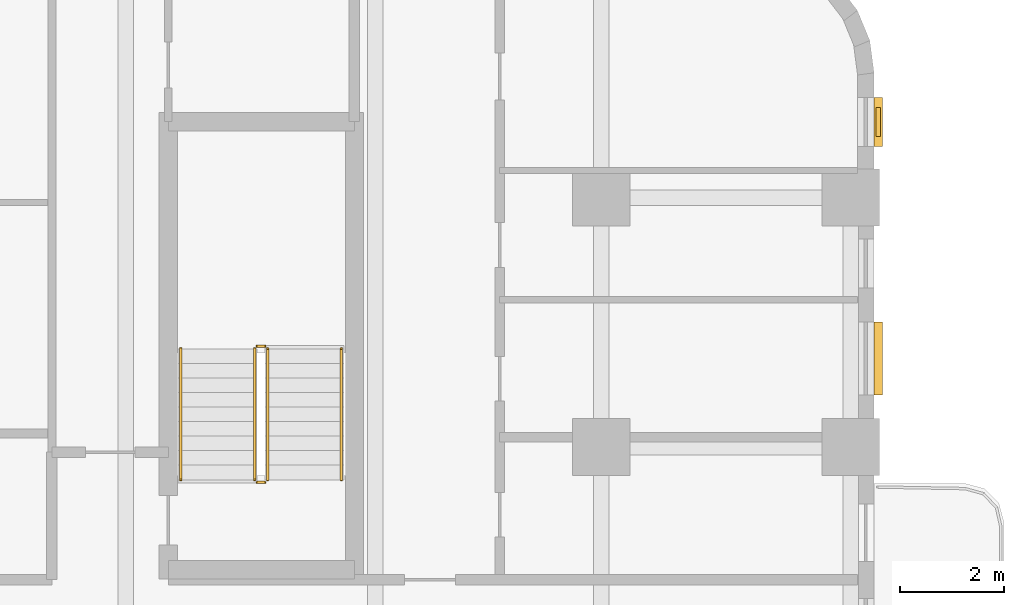
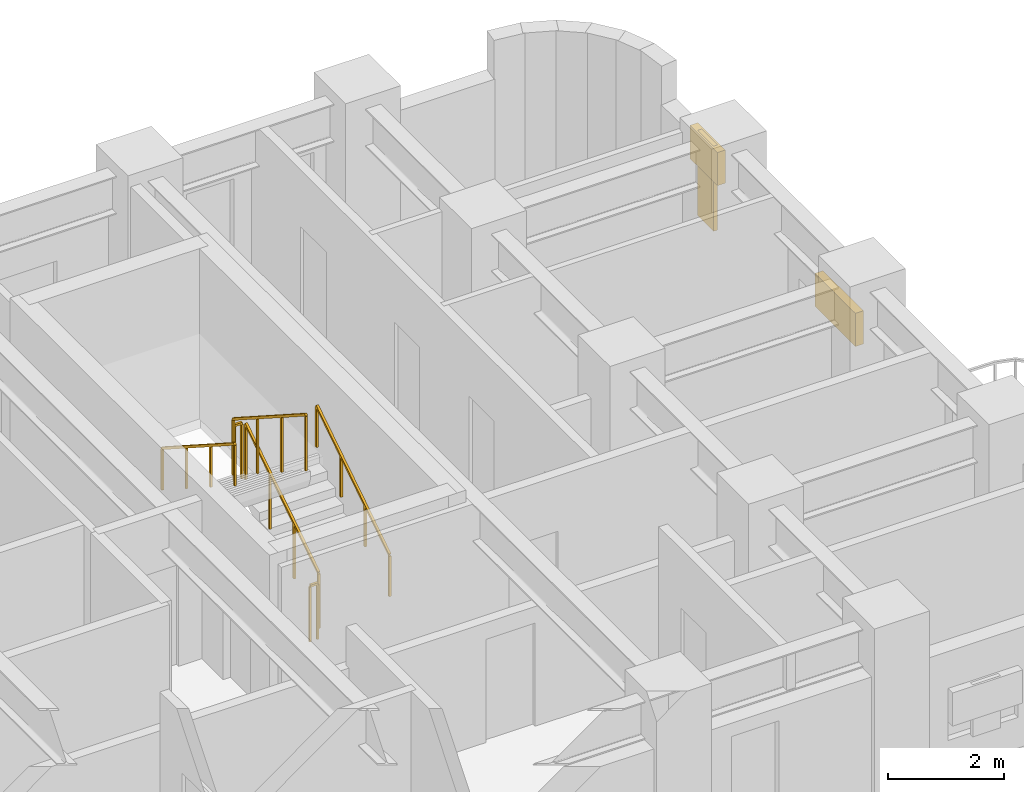
# One storey, part 11 of 12: 6 railings, 3 shading devices.
"""IFC4 building model written with IfcOpenShell, lengths in metres."""

from ifc_helpers import new_model, si_unit, direction, frame, origin, origin_2d, place, context, subcontext, project, spatial, rectangle, extrude, material, type_object, element, save


model = new_model("IFC4")

# Units and contexts
model_context = context("Model", 3, precision=1e-05, world=origin(), true_north=direction((0.0, 1.0)))
body_context = subcontext(model_context, "Body", "Model", "MODEL_VIEW")
ifc_project = project(units=[si_unit("LENGTHUNIT", "METRE"), si_unit("AREAUNIT", "SQUARE_METRE"), si_unit("VOLUMEUNIT", "CUBIC_METRE"), si_unit("PLANEANGLEUNIT", "RADIAN"), si_unit("MASSUNIT", "GRAM", prefix="KILO")], contexts=[model_context])

# Site, building, storey
site_placement = place(None, origin())
site = spatial("IfcSite", under=ifc_project, at=site_placement, CompositionType="ELEMENT")
building_placement = place(site_placement, origin())
building = spatial("IfcBuilding", under=site, at=building_placement, Name="Orvandelia Arch Residences", CompositionType="ELEMENT")
storey_placement = place(building_placement, frame((0.0, 0.0, 35.800048828125)))
storey = spatial("IfcBuildingStorey", under=building, at=storey_placement, Name="L08", CompositionType="ELEMENT", Elevation=35.800048828125)

# Railings
ifc_material_1 = material(Name="Brushed Stainless Steel 304", Category="steel")
railing_type_1 = type_object("IfcRailingType", Name="RL-STAIR-GD1120", PredefinedType="GUARDRAIL", material=ifc_material_1)
railing_1_placement = place(storey_placement, frame((45.929931640625, 37.77001953125, 0.179931640625)))
element("IfcRailing", 1, at=railing_1_placement, inside=storey, type_object=railing_type_1, Name="L08 ST-3 stair guard 1", PredefinedType="GUARDRAIL", context=body_context, shape_type="SweptSolid", body=[
    extrude(rectangle(XDim=0.048095703125, YDim=0.048095703125, at=origin_2d()), frame((0.0, 0.0, 1.17578125), z_axis=(0.0, 0.841162588446, 0.540782303519), x_axis=(-1.0, 0.0, 0.0)), (0.0, 0.0, 1.0), 2.995849609375),
    extrude(rectangle(XDim=0.0419921875, YDim=0.0419921875, at=origin_2d()), origin(), (0.0, 0.0, 1.0), 1.15185546875),
    extrude(rectangle(XDim=0.0419921875, YDim=0.0419921875, at=origin_2d()), frame((0.0, 0.840087890625, 0.5400390625)), (0.0, 0.0, 1.0), 1.15185546875),
    extrude(rectangle(XDim=0.0419921875, YDim=0.0419921875, at=origin_2d()), frame((0.0, 1.679931640625, 1.080078125)), (0.0, 0.0, 1.0), 1.15185546875),
    extrude(rectangle(XDim=0.0419921875, YDim=0.0419921875, at=origin_2d()), frame((0.0, 2.52001953125, 1.6201171875)), (0.0, 0.0, 1.0), 1.15185546875),
])
railing_2_placement = place(storey_placement, frame((45.8798828125, 40.340087890625, 1.800048828125)))
element("IfcRailing", 2, at=railing_2_placement, inside=storey, type_object=railing_type_1, Name="L08 ST-3 stair guard 2", PredefinedType="GUARDRAIL", context=body_context, shape_type="SweptSolid", body=[
    extrude(rectangle(XDim=0.048095703125, YDim=0.048095703125, at=origin_2d()), frame((0.0, 0.0, 1.17578125), z_axis=(-1.0, 0.0, 0.0), x_axis=(0.0, -1.0, 0.0)), (0.0, 0.0, 1.0), 0.14990234375),
    extrude(rectangle(XDim=0.0419921875, YDim=0.0419921875, at=origin_2d()), origin(), (0.0, 0.0, 1.0), 1.15185546875),
    extrude(rectangle(XDim=0.0419921875, YDim=0.0419921875, at=origin_2d()), frame((-0.14990234375, 0.0, 0.0)), (0.0, 0.0, 1.0), 1.15185546875),
])
railing_3_placement = place(storey_placement, frame((45.679931640625, 40.2900390625, 1.97998046875)))
element("IfcRailing", 3, at=railing_3_placement, inside=storey, type_object=railing_type_1, Name="L08 ST-3 stair guard 3", PredefinedType="GUARDRAIL", context=body_context, shape_type="SweptSolid", body=[
    extrude(rectangle(XDim=0.048095703125, YDim=0.048095703125, at=origin_2d()), frame((0.0, 0.0, 1.17578125), z_axis=(0.0, -0.841199657755, 0.540724639528), x_axis=(1.0, 0.0, 0.0)), (0.0, 0.0, 1.0), 2.995849609375),
    extrude(rectangle(XDim=0.0419921875, YDim=0.0419921875, at=origin_2d()), origin(), (0.0, 0.0, 1.0), 1.15185546875),
    extrude(rectangle(XDim=0.0419921875, YDim=0.0419921875, at=origin_2d()), frame((0.0, -0.840087890625, 0.5400390625)), (0.0, 0.0, 1.0), 1.15185546875),
    extrude(rectangle(XDim=0.0419921875, YDim=0.0419921875, at=origin_2d()), frame((0.0, -1.679931640625, 1.079833984375)), (0.0, 0.0, 1.0), 1.15185546875),
    extrude(rectangle(XDim=0.0419921875, YDim=0.0419921875, at=origin_2d()), frame((0.0, -2.52001953125, 1.619873046875)), (0.0, 0.0, 1.0), 1.15185546875),
])
railing_4_placement = place(storey_placement, frame((45.8798828125, 37.719970703125, 0.0)))
element("IfcRailing", 4, at=railing_4_placement, inside=storey, type_object=railing_type_1, Name="L08 ST-3 stair guard 4", PredefinedType="GUARDRAIL", context=body_context, shape_type="SweptSolid", body=[
    extrude(rectangle(XDim=0.048095703125, YDim=0.048095703125, at=origin_2d()), frame((0.0, 0.0, 1.17578125), z_axis=(-1.0, 0.0, 0.0), x_axis=(0.0, -1.0, 0.0)), (0.0, 0.0, 1.0), 0.14990234375),
    extrude(rectangle(XDim=0.0419921875, YDim=0.0419921875, at=origin_2d()), origin(), (0.0, 0.0, 1.0), 1.15185546875),
    extrude(rectangle(XDim=0.0419921875, YDim=0.0419921875, at=origin_2d()), frame((-0.14990234375, 0.0, 0.0)), (0.0, 0.0, 1.0), 1.15185546875),
])
railing_type_2 = type_object("IfcRailingType", Name="RL-STAIR-HR920", PredefinedType="HANDRAIL", material=ifc_material_1)
railing_5_placement = place(storey_placement, frame((47.35009765625, 37.77001953125, 0.35986328125)))
element("IfcRailing", 5, at=railing_5_placement, inside=storey, type_object=railing_type_2, Name="L08 ST-3 stair handrail 1", PredefinedType="HANDRAIL", context=body_context, shape_type="SweptSolid", body=[
    extrude(rectangle(XDim=0.048095703125, YDim=0.048095703125, at=origin_2d()), frame((0.0, 0.0, 0.8759765625), z_axis=(0.0, 0.841162588446, 0.540782303519), x_axis=(-1.0, 0.0, 0.0)), (0.0, 0.0, 1.0), 2.995849609375),
    extrude(rectangle(XDim=0.0419921875, YDim=0.0419921875, at=origin_2d()), origin(), (0.0, 0.0, 1.0), 0.851806640625),
    extrude(rectangle(XDim=0.0419921875, YDim=0.0419921875, at=origin_2d()), frame((0.0, 0.840087890625, 0.5400390625)), (0.0, 0.0, 1.0), 0.851806640625),
    extrude(rectangle(XDim=0.0419921875, YDim=0.0419921875, at=origin_2d()), frame((0.0, 1.679931640625, 1.080078125)), (0.0, 0.0, 1.0), 0.851806640625),
    extrude(rectangle(XDim=0.0419921875, YDim=0.0419921875, at=origin_2d()), frame((0.0, 2.52001953125, 1.6201171875)), (0.0, 0.0, 1.0), 0.851806640625),
])
railing_6_placement = place(storey_placement, frame((44.260009765625, 40.2900390625, 2.159912109375)))
element("IfcRailing", 6, at=railing_6_placement, inside=storey, type_object=railing_type_2, Name="L08 ST-3 stair handrail 2", PredefinedType="HANDRAIL", context=body_context, shape_type="SweptSolid", body=[
    extrude(rectangle(XDim=0.048095703125, YDim=0.048095703125, at=origin_2d()), frame((0.0, 0.0, 0.8759765625), z_axis=(0.0, -0.841162588446, 0.540782303519), x_axis=(1.0, 0.0, 0.0)), (0.0, 0.0, 1.0), 2.995849609375),
    extrude(rectangle(XDim=0.0419921875, YDim=0.0419921875, at=origin_2d()), origin(), (0.0, 0.0, 1.0), 0.851806640625),
    extrude(rectangle(XDim=0.0419921875, YDim=0.0419921875, at=origin_2d()), frame((0.0, -0.840087890625, 0.5400390625)), (0.0, 0.0, 1.0), 0.851806640625),
    extrude(rectangle(XDim=0.0419921875, YDim=0.0419921875, at=origin_2d()), frame((0.0, -1.679931640625, 1.080078125)), (0.0, 0.0, 1.0), 0.851806640625),
    extrude(rectangle(XDim=0.0419921875, YDim=0.0419921875, at=origin_2d()), frame((0.0, -2.52001953125, 1.6201171875)), (0.0, 0.0, 1.0), 0.851806640625),
])

# Shading devices
ifc_material_2 = material(Name="Anodised Champagne-Bronze Extruded Aluminium", Category="aluminium")
shading_device_type_1 = type_object("IfcShadingDeviceType", Name="SHD-JALOUSIE-SCREEN", PredefinedType="JALOUSIE", material=ifc_material_2)
shading_device_1_placement = place(storey_placement, frame((57.679931640625, 44.655029296875, 1.5498046875), z_axis=(0.0, 0.0, 1.0), x_axis=(0.0, -1.0, 0.0)))
element("IfcShadingDevice", 7, at=shading_device_1_placement, inside=storey, type_object=shading_device_type_1, Name="Bronze Jalousie Sun-Shade L08-003", PredefinedType="JALOUSIE", context=body_context, shape_type="SweptSolid", body=[
    extrude(rectangle(XDim=0.949951171875, YDim=0.159912109375, at=origin_2d()), origin(), (0.0, 0.0, 1.0), 0.699951171875),
])
shading_device_2_placement = place(storey_placement, frame((57.679931640625, 40.1015625, 1.0498046875), z_axis=(0.0, 0.0, 1.0), x_axis=(0.0, -1.0, 0.0)))
element("IfcShadingDevice", 8, at=shading_device_2_placement, inside=storey, type_object=shading_device_type_1, Name="Bronze Jalousie Sun-Shade L08-004", PredefinedType="JALOUSIE", context=body_context, shape_type="SweptSolid", body=[
    extrude(rectangle(XDim=1.39990234375, YDim=0.159912109375, at=origin_2d()), origin(), (0.0, 0.0, 1.0), 0.699951171875),
])
ifc_material_3 = material(Name="Marine-Grade Perforated Aluminium Storm Shutter", Category="aluminium")
shading_device_type_2 = type_object("IfcShadingDeviceType", Name="SHD-STORM-SHUTTER", PredefinedType="SHUTTER", material=ifc_material_3)
shading_device_3_placement = place(storey_placement, frame((57.679931640625, 44.655029296875, 0.44970703125), z_axis=(0.0, 0.0, 1.0), x_axis=(0.0, -1.0, 0.0)))
element("IfcShadingDevice", 9, at=shading_device_3_placement, inside=storey, type_object=shading_device_type_2, Name="Operable Typhoon Storm Shutter L08-003", PredefinedType="SHUTTER", context=body_context, shape_type="SweptSolid", body=[
    extrude(rectangle(XDim=0.550048828125, YDim=0.080078125, at=origin_2d()), origin(), (0.0, 0.0, 1.0), 1.800048828125),
])

save(model, "model.ifc")
